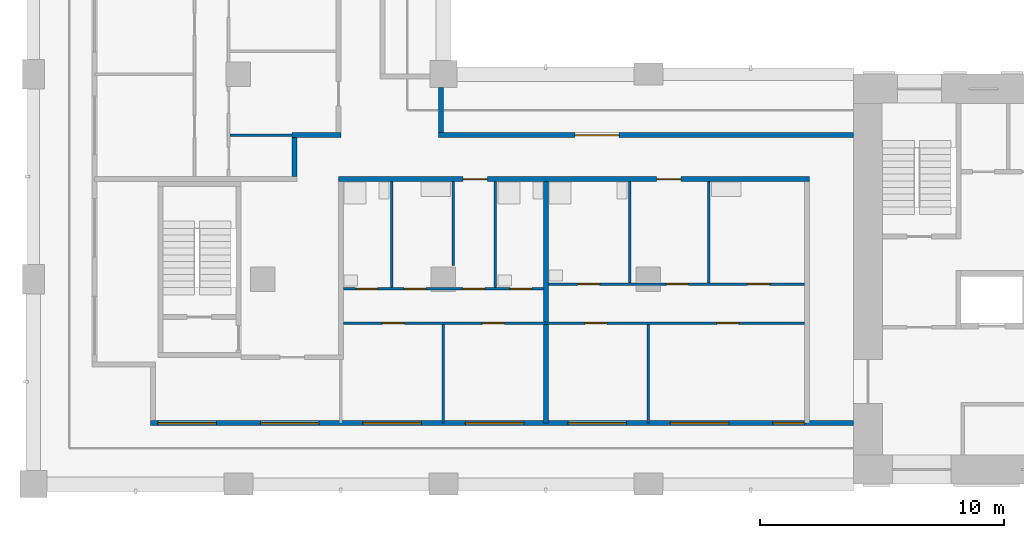
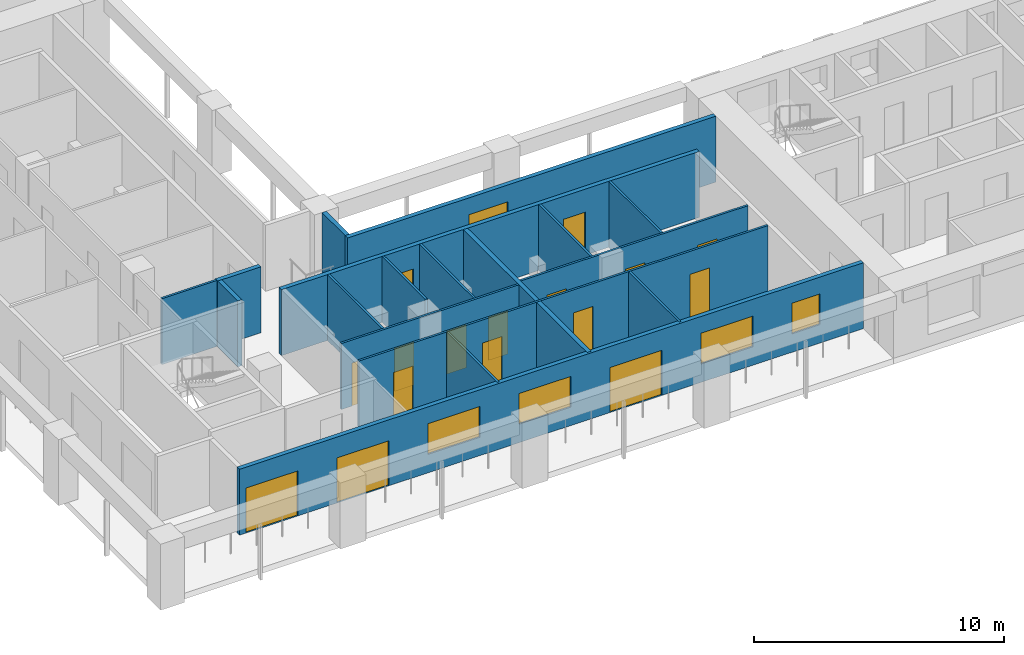
# One storey, part 2 of 10: 18 walls, 17 doors, 4 windows, 21 openings.
"""IFC4 building model written with IfcOpenShell, lengths in metres."""

from ifc_helpers import new_model, si_unit, direction, frame, frame_2d, origin, place, context, subcontext, project, spatial, rectangle, extrude, material, layer, layer_set, type_object, element, fill, save


model = new_model("IFC4")

# Units and contexts
model_context = context("Model", 3, precision=1e-05, world=origin(), true_north=direction((0.0, 1.0)))
body_context = subcontext(model_context, "Body", "Model", "MODEL_VIEW")
ifc_project = project(units=[si_unit("LENGTHUNIT", "METRE"), si_unit("AREAUNIT", "SQUARE_METRE"), si_unit("VOLUMEUNIT", "CUBIC_METRE"), si_unit("PLANEANGLEUNIT", "RADIAN"), si_unit("MASSUNIT", "GRAM", prefix="KILO")], contexts=[model_context])

# Site, building, storey
site_placement = place(None, origin())
site = spatial("IfcSite", under=ifc_project, at=site_placement, CompositionType="ELEMENT")
building_placement = place(site_placement, origin())
building = spatial("IfcBuilding", under=site, at=building_placement, Name="Vermilion Gate Residences", CompositionType="ELEMENT")
storey_placement = place(building_placement, frame((0.0, 0.0, 175.699951171875)))
storey = spatial("IfcBuildingStorey", under=building, at=storey_placement, Name="L45", CompositionType="ELEMENT", Elevation=175.699951171875)

# Wall, openings, doors, windows
ifc_material_1 = material(Name="Insulated steel stud wall with terracotta rainscreen", Category="masonry")
ifc_layer_1 = layer(ifc_material_1, 0.199951171875)
ifc_layer_set_1 = layer_set([ifc_layer_1], Name="EXTERNAL WALL 200 TERRACOTTA RAINSCREEN")
wall_type_1 = type_object("IfcWallType", Name="EXTERNAL WALL 200 TERRACOTTA RAINSCREEN", PredefinedType="SOLIDWALL", material=ifc_layer_set_1)
wall_1_placement = place(storey_placement, frame((13.199951171875, 10.89990234375, 0.0), z_axis=(0.0, 0.0, 1.0), x_axis=(1.0, 0.0, 0.0)))
wall_1 = element("IfcWall", 1, at=wall_1_placement, inside=storey, type_object=wall_type_1, Name="External wall", PredefinedType="SOLIDWALL", context=body_context, shape_type="SweptSolid", body=[
    extrude(rectangle(XDim=28.800048828125, YDim=0.199951171875, at=frame_2d((14.39990234375, 0.0))), origin(), (0.0, 0.0, 1.0), 3.219970703125),
])
opening_1_placement = place(wall_1_placement, frame((0.300048828125, 0.0, 0.0)))
opening_1 = element("IfcOpeningElement", 2, at=opening_1_placement, cuts=wall_1, Name="Opening DE45008", PredefinedType="OPENING", context=body_context, shape_type="SweptSolid", body=[
    extrude(rectangle(XDim=2.39990234375, YDim=2.199951171875, at=frame_2d((1.199951171875, 1.10009765625))), frame((0.0, 0.10986328125, 0.0), z_axis=(0.0, -1.0, 0.0), x_axis=(1.0, 0.0, 0.0)), (0.0, 0.0, 1.0), 0.219970703125),
])
opening_2_placement = place(wall_1_placement, frame((4.5, 0.0, 0.0)))
opening_2 = element("IfcOpeningElement", 3, at=opening_2_placement, cuts=wall_1, Name="Opening DE45009", PredefinedType="OPENING", context=body_context, shape_type="SweptSolid", body=[
    extrude(rectangle(XDim=2.39990234375, YDim=2.199951171875, at=frame_2d((1.199951171875, 1.10009765625))), frame((0.0, 0.10986328125, 0.0), z_axis=(0.0, -1.0, 0.0), x_axis=(1.0, 0.0, 0.0)), (0.0, 0.0, 1.0), 0.219970703125),
])
opening_3_placement = place(wall_1_placement, frame((8.699951171875, 0.0, 0.89990234375)))
opening_3 = element("IfcOpeningElement", 4, at=opening_3_placement, cuts=wall_1, Name="Opening WE45010", PredefinedType="OPENING", context=body_context, shape_type="SweptSolid", body=[
    extrude(rectangle(XDim=2.39990234375, YDim=1.5, at=frame_2d((1.199951171875, 0.75))), frame((0.0, 0.10986328125, 0.0), z_axis=(0.0, -1.0, 0.0), x_axis=(1.0, 0.0, 0.0)), (0.0, 0.0, 1.0), 0.219970703125),
])
opening_4_placement = place(wall_1_placement, frame((12.89990234375, 0.0, 0.89990234375)))
opening_4 = element("IfcOpeningElement", 5, at=opening_4_placement, cuts=wall_1, Name="Opening WE45011", PredefinedType="OPENING", context=body_context, shape_type="SweptSolid", body=[
    extrude(rectangle(XDim=2.39990234375, YDim=1.5, at=frame_2d((1.199951171875, 0.75))), frame((0.0, 0.10986328125, 0.0), z_axis=(0.0, -1.0, 0.0), x_axis=(1.0, 0.0, 0.0)), (0.0, 0.0, 1.0), 0.219970703125),
])
opening_5_placement = place(wall_1_placement, frame((17.10009765625, 0.0, 0.0)))
opening_5 = element("IfcOpeningElement", 6, at=opening_5_placement, cuts=wall_1, Name="Opening DE45012", PredefinedType="OPENING", context=body_context, shape_type="SweptSolid", body=[
    extrude(rectangle(XDim=2.39990234375, YDim=2.199951171875, at=frame_2d((1.199951171875, 1.10009765625))), frame((0.0, 0.10986328125, 0.0), z_axis=(0.0, -1.0, 0.0), x_axis=(1.0, 0.0, 0.0)), (0.0, 0.0, 1.0), 0.219970703125),
])
opening_6_placement = place(wall_1_placement, frame((21.300048828125, 0.0, 0.89990234375)))
opening_6 = element("IfcOpeningElement", 7, at=opening_6_placement, cuts=wall_1, Name="Opening WE45013", PredefinedType="OPENING", context=body_context, shape_type="SweptSolid", body=[
    extrude(rectangle(XDim=2.39990234375, YDim=1.5, at=frame_2d((1.199951171875, 0.75))), frame((0.0, 0.10986328125, 0.0), z_axis=(0.0, -1.0, 0.0), x_axis=(1.0, 0.0, 0.0)), (0.0, 0.0, 1.0), 0.219970703125),
])
opening_7_placement = place(wall_1_placement, frame((25.5, 0.0, 0.89990234375)))
opening_7 = element("IfcOpeningElement", 8, at=opening_7_placement, cuts=wall_1, Name="Opening WE45014", PredefinedType="OPENING", context=body_context, shape_type="SweptSolid", body=[
    extrude(rectangle(XDim=1.300048828125, YDim=1.5, at=frame_2d((0.64990234375, 0.75))), frame((0.0, 0.10986328125, 0.0), z_axis=(0.0, -1.0, 0.0), x_axis=(1.0, 0.0, 0.0)), (0.0, 0.0, 1.0), 0.219970703125),
])
ifc_material_2 = material(Name="Aluminium and clear glass", Category="aluminium")
door_type_1 = type_object("IfcDoorType", Name="SLIDING GLAZED DOOR 2400 X 2200", OperationType="DOUBLE_DOOR_SLIDING", PredefinedType="DOOR", material=ifc_material_2)
door_1_placement = place(opening_1_placement, origin())
door_1 = element("IfcDoor", 9, at=door_1_placement, inside=storey, type_object=door_type_1, Name="Loggia sliding door", OperationType="DOUBLE_DOOR_SLIDING", OverallHeight=2.199951171875, OverallWidth=2.39990234375, PredefinedType="DOOR", context=body_context, shape_type="SweptSolid", body=[
    extrude(rectangle(XDim=2.39990234375, YDim=2.199951171875, at=frame_2d((1.199951171875, 1.10009765625))), frame((0.0, 0.02490234375, 0.0), z_axis=(0.0, -1.0, 0.0), x_axis=(1.0, 0.0, 0.0)), (0.0, 0.0, 1.0), 0.050048828125),
])
fill(opening_1, door_1)
door_2_placement = place(opening_2_placement, origin())
door_2 = element("IfcDoor", 10, at=door_2_placement, inside=storey, type_object=door_type_1, Name="Loggia sliding door", OperationType="DOUBLE_DOOR_SLIDING", OverallHeight=2.199951171875, OverallWidth=2.39990234375, PredefinedType="DOOR", context=body_context, shape_type="SweptSolid", body=[
    extrude(rectangle(XDim=2.39990234375, YDim=2.199951171875, at=frame_2d((1.199951171875, 1.10009765625))), frame((0.0, 0.02490234375, 0.0), z_axis=(0.0, -1.0, 0.0), x_axis=(1.0, 0.0, 0.0)), (0.0, 0.0, 1.0), 0.050048828125),
])
fill(opening_2, door_2)
door_3_placement = place(opening_5_placement, origin())
door_3 = element("IfcDoor", 11, at=door_3_placement, inside=storey, type_object=door_type_1, Name="Loggia sliding door", OperationType="DOUBLE_DOOR_SLIDING", OverallHeight=2.199951171875, OverallWidth=2.39990234375, PredefinedType="DOOR", context=body_context, shape_type="SweptSolid", body=[
    extrude(rectangle(XDim=2.39990234375, YDim=2.199951171875, at=frame_2d((1.199951171875, 1.10009765625))), frame((0.0, 0.02490234375, 0.0), z_axis=(0.0, -1.0, 0.0), x_axis=(1.0, 0.0, 0.0)), (0.0, 0.0, 1.0), 0.050048828125),
])
fill(opening_5, door_3)
ifc_material_3 = material(Name="Aluminium and clear glass", Category="aluminium")
window_type_1 = type_object("IfcWindowType", Name="WINDOW 1300 X 1500", PartitioningType="SINGLE_PANEL", PredefinedType="WINDOW", material=ifc_material_3)
window_1_placement = place(opening_7_placement, origin())
window_1 = element("IfcWindow", 12, at=window_1_placement, inside=storey, type_object=window_type_1, Name="Window", OverallHeight=1.5, OverallWidth=1.300048828125, PartitioningType="SINGLE_PANEL", PredefinedType="WINDOW", context=body_context, shape_type="SweptSolid", body=[
    extrude(rectangle(XDim=1.300048828125, YDim=1.5, at=frame_2d((0.64990234375, 0.75))), frame((0.0, 0.030029296875, 0.0), z_axis=(0.0, -1.0, 0.0), x_axis=(1.0, 0.0, 0.0)), (0.0, 0.0, 1.0), 0.06005859375),
])
fill(opening_7, window_1)
ifc_material_4 = material(Name="Aluminium and clear glass", Category="aluminium")
window_type_2 = type_object("IfcWindowType", Name="WINDOW 2400 X 1500", PartitioningType="SINGLE_PANEL", PredefinedType="WINDOW", material=ifc_material_4)
window_2_placement = place(opening_3_placement, origin())
window_2 = element("IfcWindow", 13, at=window_2_placement, inside=storey, type_object=window_type_2, Name="Window", OverallHeight=1.5, OverallWidth=2.39990234375, PartitioningType="SINGLE_PANEL", PredefinedType="WINDOW", context=body_context, shape_type="SweptSolid", body=[
    extrude(rectangle(XDim=2.39990234375, YDim=1.5, at=frame_2d((1.199951171875, 0.75))), frame((0.0, 0.030029296875, 0.0), z_axis=(0.0, -1.0, 0.0), x_axis=(1.0, 0.0, 0.0)), (0.0, 0.0, 1.0), 0.06005859375),
])
fill(opening_3, window_2)
window_3_placement = place(opening_4_placement, origin())
window_3 = element("IfcWindow", 14, at=window_3_placement, inside=storey, type_object=window_type_2, Name="Window", OverallHeight=1.5, OverallWidth=2.39990234375, PartitioningType="SINGLE_PANEL", PredefinedType="WINDOW", context=body_context, shape_type="SweptSolid", body=[
    extrude(rectangle(XDim=2.39990234375, YDim=1.5, at=frame_2d((1.199951171875, 0.75))), frame((0.0, 0.030029296875, 0.0), z_axis=(0.0, -1.0, 0.0), x_axis=(1.0, 0.0, 0.0)), (0.0, 0.0, 1.0), 0.06005859375),
])
fill(opening_4, window_3)
window_4_placement = place(opening_6_placement, origin())
window_4 = element("IfcWindow", 15, at=window_4_placement, inside=storey, type_object=window_type_2, Name="Window", OverallHeight=1.5, OverallWidth=2.39990234375, PartitioningType="SINGLE_PANEL", PredefinedType="WINDOW", context=body_context, shape_type="SweptSolid", body=[
    extrude(rectangle(XDim=2.39990234375, YDim=1.5, at=frame_2d((1.199951171875, 0.75))), frame((0.0, 0.030029296875, 0.0), z_axis=(0.0, -1.0, 0.0), x_axis=(1.0, 0.0, 0.0)), (0.0, 0.0, 1.0), 0.06005859375),
])
fill(opening_6, window_4)

# Wall, opening, door
wall_2_placement = place(storey_placement, frame((42.0, 22.699951171875, 0.0), z_axis=(0.0, 0.0, 1.0), x_axis=(-1.0, 0.0, 0.0)))
wall_2 = element("IfcWall", 16, at=wall_2_placement, inside=storey, type_object=wall_type_1, Name="External wall", PredefinedType="SOLIDWALL", context=body_context, shape_type="SweptSolid", body=[
    extrude(rectangle(XDim=17.0, YDim=0.199951171875, at=frame_2d((8.5, 0.0))), origin(), (0.0, 0.0, 1.0), 3.219970703125),
])
opening_8_placement = place(wall_2_placement, frame((9.60009765625, 0.0, 0.0)))
opening_8 = element("IfcOpeningElement", 17, at=opening_8_placement, cuts=wall_2, Name="Opening DE45020", PredefinedType="OPENING", context=body_context, shape_type="SweptSolid", body=[
    extrude(rectangle(XDim=1.800048828125, YDim=2.39990234375, at=frame_2d((0.89990234375, 1.199951171875))), frame((0.0, 0.10986328125, 0.0), z_axis=(0.0, -1.0, 0.0), x_axis=(1.0, 0.0, 0.0)), (0.0, 0.0, 1.0), 0.219970703125),
])
ifc_material_5 = material(Name="Aluminium and clear glass", Category="aluminium")
door_type_2 = type_object("IfcDoorType", Name="GLAZED EXTERNAL DOOR 1800 X 2400", OperationType="DOUBLE_DOOR_SINGLE_SWING", PredefinedType="DOOR", material=ifc_material_5)
door_4_placement = place(opening_8_placement, frame((1.800048828125, 0.0, 0.0), z_axis=(0.0, 0.0, 1.0), x_axis=(-1.0, 0.0, 0.0)))
door_4 = element("IfcDoor", 18, at=door_4_placement, inside=storey, type_object=door_type_2, Name="Gallery door", OperationType="DOUBLE_DOOR_SINGLE_SWING", OverallHeight=2.39990234375, OverallWidth=1.800048828125, PredefinedType="DOOR", context=body_context, shape_type="SweptSolid", body=[
    extrude(rectangle(XDim=1.800048828125, YDim=2.39990234375, at=frame_2d((0.89990234375, 1.199951171875))), frame((0.0, 0.02490234375, 0.0), z_axis=(0.0, -1.0, 0.0), x_axis=(1.0, 0.0, 0.0)), (0.0, 0.0, 1.0), 0.050048828125),
])
fill(opening_8, door_4)

# Wall
wall_3_placement = place(storey_placement, frame((25.10009765625, 22.800048828125, 0.0), z_axis=(0.0, 0.0, 1.0), x_axis=(0.0, 1.0, 0.0)))
element("IfcWall", 19, at=wall_3_placement, inside=storey, type_object=wall_type_1, Name="External wall", PredefinedType="SOLIDWALL", context=body_context, shape_type="SweptSolid", body=[
    extrude(rectangle(XDim=1.849853515625, YDim=0.199951171875, at=frame_2d((0.9248046875, 0.0))), origin(), (0.0, 0.0, 1.0), 3.219970703125),
])

# Wall, openings, doors
ifc_material_6 = material(Name="Plasterboard on steel studs", Category="steel")
ifc_layer_2 = layer(ifc_material_6, 0.10009765625)
ifc_layer_set_2 = layer_set([ifc_layer_2], Name="PARTITION 100")
wall_type_2 = type_object("IfcWallType", Name="PARTITION 100", PredefinedType="PARTITIONING", material=ifc_layer_set_2)
wall_4_placement = place(storey_placement, frame((21.10009765625, 15.0, 0.0), z_axis=(0.0, 0.0, 1.0), x_axis=(1.0, 0.0, 0.0)))
wall_4 = element("IfcWall", 20, at=wall_4_placement, inside=storey, type_object=wall_type_2, Name="Partition", PredefinedType="PARTITIONING", context=body_context, shape_type="SweptSolid", body=[
    extrude(rectangle(XDim=18.89990234375, YDim=0.10009765625, at=frame_2d((9.449951171875, 0.0))), origin(), (0.0, 0.0, 1.0), 3.219970703125),
])
opening_9_placement = place(wall_4_placement, frame((1.60009765625, 0.0, 0.0)))
opening_9 = element("IfcOpeningElement", 21, at=opening_9_placement, cuts=wall_4, Name="Opening DA43002", PredefinedType="OPENING", context=body_context, shape_type="SweptSolid", body=[
    extrude(rectangle(XDim=0.89990234375, YDim=2.10009765625, at=frame_2d((0.449951171875, 1.050048828125))), frame((0.0, 0.06005859375, 0.0), z_axis=(0.0, -1.0, 0.0), x_axis=(1.0, 0.0, 0.0)), (0.0, 0.0, 1.0), 0.1201171875),
])
opening_10_placement = place(wall_4_placement, frame((5.699951171875, 0.0, 0.0)))
opening_10 = element("IfcOpeningElement", 22, at=opening_10_placement, cuts=wall_4, Name="Opening DA43003", PredefinedType="OPENING", context=body_context, shape_type="SweptSolid", body=[
    extrude(rectangle(XDim=0.89990234375, YDim=2.10009765625, at=frame_2d((0.449951171875, 1.050048828125))), frame((0.0, 0.06005859375, 0.0), z_axis=(0.0, -1.0, 0.0), x_axis=(1.0, 0.0, 0.0)), (0.0, 0.0, 1.0), 0.1201171875),
])
opening_11_placement = place(wall_4_placement, frame((9.89990234375, 0.0, 0.0)))
opening_11 = element("IfcOpeningElement", 23, at=opening_11_placement, cuts=wall_4, Name="Opening DA43004", PredefinedType="OPENING", context=body_context, shape_type="SweptSolid", body=[
    extrude(rectangle(XDim=0.89990234375, YDim=2.10009765625, at=frame_2d((0.449951171875, 1.050048828125))), frame((0.0, 0.06005859375, 0.0), z_axis=(0.0, -1.0, 0.0), x_axis=(1.0, 0.0, 0.0)), (0.0, 0.0, 1.0), 0.1201171875),
])
opening_12_placement = place(wall_4_placement, frame((15.300048828125, 0.0, 0.0)))
opening_12 = element("IfcOpeningElement", 24, at=opening_12_placement, cuts=wall_4, Name="Opening DA43005", PredefinedType="OPENING", context=body_context, shape_type="SweptSolid", body=[
    extrude(rectangle(XDim=0.89990234375, YDim=2.10009765625, at=frame_2d((0.449951171875, 1.050048828125))), frame((0.0, 0.06005859375, 0.0), z_axis=(0.0, -1.0, 0.0), x_axis=(1.0, 0.0, 0.0)), (0.0, 0.0, 1.0), 0.1201171875),
])
ifc_material_7 = material(Name="Timber", Category="wood")
door_type_3 = type_object("IfcDoorType", Name="INTERIOR DOOR 900 X 2100", OperationType="SINGLE_SWING_LEFT", PredefinedType="DOOR", material=ifc_material_7)
door_5_placement = place(opening_9_placement, frame((0.89990234375, 0.0, 0.0), z_axis=(0.0, 0.0, 1.0), x_axis=(-1.0, 0.0, 0.0)))
door_5 = element("IfcDoor", 25, at=door_5_placement, inside=storey, type_object=door_type_3, Name="Interior door", OperationType="SINGLE_SWING_LEFT", OverallHeight=2.10009765625, OverallWidth=0.89990234375, PredefinedType="DOOR", context=body_context, shape_type="SweptSolid", body=[
    extrude(rectangle(XDim=0.89990234375, YDim=2.10009765625, at=frame_2d((0.449951171875, 1.050048828125))), frame((0.0, 0.02490234375, 0.0), z_axis=(0.0, -1.0, 0.0), x_axis=(1.0, 0.0, 0.0)), (0.0, 0.0, 1.0), 0.050048828125),
])
fill(opening_9, door_5)
door_6_placement = place(opening_10_placement, frame((0.89990234375, 0.0, 0.0), z_axis=(0.0, 0.0, 1.0), x_axis=(-1.0, 0.0, 0.0)))
door_6 = element("IfcDoor", 26, at=door_6_placement, inside=storey, type_object=door_type_3, Name="Interior door", OperationType="SINGLE_SWING_RIGHT", OverallHeight=2.10009765625, OverallWidth=0.89990234375, PredefinedType="DOOR", context=body_context, shape_type="SweptSolid", body=[
    extrude(rectangle(XDim=0.89990234375, YDim=2.10009765625, at=frame_2d((0.449951171875, 1.050048828125))), frame((0.0, 0.02490234375, 0.0), z_axis=(0.0, -1.0, 0.0), x_axis=(1.0, 0.0, 0.0)), (0.0, 0.0, 1.0), 0.050048828125),
])
fill(opening_10, door_6)
door_7_placement = place(opening_11_placement, frame((0.89990234375, 0.0, 0.0), z_axis=(0.0, 0.0, 1.0), x_axis=(-1.0, 0.0, 0.0)))
door_7 = element("IfcDoor", 27, at=door_7_placement, inside=storey, type_object=door_type_3, Name="Interior door", OperationType="SINGLE_SWING_RIGHT", OverallHeight=2.10009765625, OverallWidth=0.89990234375, PredefinedType="DOOR", context=body_context, shape_type="SweptSolid", body=[
    extrude(rectangle(XDim=0.89990234375, YDim=2.10009765625, at=frame_2d((0.449951171875, 1.050048828125))), frame((0.0, 0.02490234375, 0.0), z_axis=(0.0, -1.0, 0.0), x_axis=(1.0, 0.0, 0.0)), (0.0, 0.0, 1.0), 0.050048828125),
])
fill(opening_11, door_7)
door_8_placement = place(opening_12_placement, frame((0.89990234375, 0.0, 0.0), z_axis=(0.0, 0.0, 1.0), x_axis=(-1.0, 0.0, 0.0)))
door_8 = element("IfcDoor", 28, at=door_8_placement, inside=storey, type_object=door_type_3, Name="Interior door", OperationType="SINGLE_SWING_LEFT", OverallHeight=2.10009765625, OverallWidth=0.89990234375, PredefinedType="DOOR", context=body_context, shape_type="SweptSolid", body=[
    extrude(rectangle(XDim=0.89990234375, YDim=2.10009765625, at=frame_2d((0.449951171875, 1.050048828125))), frame((0.0, 0.02490234375, 0.0), z_axis=(0.0, -1.0, 0.0), x_axis=(1.0, 0.0, 0.0)), (0.0, 0.0, 1.0), 0.050048828125),
])
fill(opening_12, door_8)

wall_5_placement = place(storey_placement, frame((21.10009765625, 16.39990234375, 0.0), z_axis=(0.0, 0.0, 1.0), x_axis=(1.0, 0.0, 0.0)))
wall_5 = element("IfcWall", 29, at=wall_5_placement, inside=storey, type_object=wall_type_2, Name="Partition", PredefinedType="PARTITIONING", context=body_context, shape_type="SweptSolid", body=[
    extrude(rectangle(XDim=8.199951171875, YDim=0.10009765625, at=frame_2d((4.10009765625, 0.0))), origin(), (0.0, 0.0, 1.0), 3.219970703125),
])
opening_13_placement = place(wall_5_placement, frame((4.89990234375, 0.0, 0.0)))
opening_13 = element("IfcOpeningElement", 30, at=opening_13_placement, cuts=wall_5, Name="Opening DA43006", PredefinedType="OPENING", context=body_context, shape_type="SweptSolid", body=[
    extrude(rectangle(XDim=0.89990234375, YDim=2.10009765625, at=frame_2d((0.449951171875, 1.050048828125))), frame((0.0, 0.06005859375, 0.0), z_axis=(0.0, -1.0, 0.0), x_axis=(1.0, 0.0, 0.0)), (0.0, 0.0, 1.0), 0.1201171875),
])
opening_14_placement = place(wall_5_placement, frame((0.5, 0.0, 0.0)))
opening_14 = element("IfcOpeningElement", 31, at=opening_14_placement, cuts=wall_5, Name="Opening DA43007", PredefinedType="OPENING", context=body_context, shape_type="SweptSolid", body=[
    extrude(rectangle(XDim=0.89990234375, YDim=2.10009765625, at=frame_2d((0.449951171875, 1.050048828125))), frame((0.0, 0.06005859375, 0.0), z_axis=(0.0, -1.0, 0.0), x_axis=(1.0, 0.0, 0.0)), (0.0, 0.0, 1.0), 0.1201171875),
])
opening_15_placement = place(wall_5_placement, frame((2.47998046875, 0.0, 0.0)))
opening_15 = element("IfcOpeningElement", 32, at=opening_15_placement, cuts=wall_5, Name="Opening DA43008", PredefinedType="OPENING", context=body_context, shape_type="SweptSolid", body=[
    extrude(rectangle(XDim=0.89990234375, YDim=2.10009765625, at=frame_2d((0.449951171875, 1.050048828125))), frame((0.0, 0.06005859375, 0.0), z_axis=(0.0, -1.0, 0.0), x_axis=(1.0, 0.0, 0.0)), (0.0, 0.0, 1.0), 0.1201171875),
])
opening_16_placement = place(wall_5_placement, frame((6.820068359375, 0.0, 0.0)))
opening_16 = element("IfcOpeningElement", 33, at=opening_16_placement, cuts=wall_5, Name="Opening DA43009", PredefinedType="OPENING", context=body_context, shape_type="SweptSolid", body=[
    extrude(rectangle(XDim=0.89990234375, YDim=2.10009765625, at=frame_2d((0.449951171875, 1.050048828125))), frame((0.0, 0.06005859375, 0.0), z_axis=(0.0, -1.0, 0.0), x_axis=(1.0, 0.0, 0.0)), (0.0, 0.0, 1.0), 0.1201171875),
])
door_9_placement = place(opening_13_placement, origin())
door_9 = element("IfcDoor", 34, at=door_9_placement, inside=storey, type_object=door_type_3, Name="Interior door", OperationType="SINGLE_SWING_LEFT", OverallHeight=2.10009765625, OverallWidth=0.89990234375, PredefinedType="DOOR", context=body_context, shape_type="SweptSolid", body=[
    extrude(rectangle(XDim=0.89990234375, YDim=2.10009765625, at=frame_2d((0.449951171875, 1.050048828125))), frame((0.0, 0.02490234375, 0.0), z_axis=(0.0, -1.0, 0.0), x_axis=(1.0, 0.0, 0.0)), (0.0, 0.0, 1.0), 0.050048828125),
])
fill(opening_13, door_9)
door_10_placement = place(opening_14_placement, origin())
door_10 = element("IfcDoor", 35, at=door_10_placement, inside=storey, type_object=door_type_3, Name="Interior door", OperationType="SINGLE_SWING_RIGHT", OverallHeight=2.10009765625, OverallWidth=0.89990234375, PredefinedType="DOOR", context=body_context, shape_type="SweptSolid", body=[
    extrude(rectangle(XDim=0.89990234375, YDim=2.10009765625, at=frame_2d((0.449951171875, 1.050048828125))), frame((0.0, 0.02490234375, 0.0), z_axis=(0.0, -1.0, 0.0), x_axis=(1.0, 0.0, 0.0)), (0.0, 0.0, 1.0), 0.050048828125),
])
fill(opening_14, door_10)
door_11_placement = place(opening_15_placement, origin())
door_11 = element("IfcDoor", 36, at=door_11_placement, inside=storey, type_object=door_type_3, Name="Interior door", OperationType="SINGLE_SWING_RIGHT", OverallHeight=2.10009765625, OverallWidth=0.89990234375, PredefinedType="DOOR", context=body_context, shape_type="SweptSolid", body=[
    extrude(rectangle(XDim=0.89990234375, YDim=2.10009765625, at=frame_2d((0.449951171875, 1.050048828125))), frame((0.0, 0.02490234375, 0.0), z_axis=(0.0, -1.0, 0.0), x_axis=(1.0, 0.0, 0.0)), (0.0, 0.0, 1.0), 0.050048828125),
])
fill(opening_15, door_11)
door_12_placement = place(opening_16_placement, origin())
door_12 = element("IfcDoor", 37, at=door_12_placement, inside=storey, type_object=door_type_3, Name="Interior door", OperationType="SINGLE_SWING_RIGHT", OverallHeight=2.10009765625, OverallWidth=0.89990234375, PredefinedType="DOOR", context=body_context, shape_type="SweptSolid", body=[
    extrude(rectangle(XDim=0.89990234375, YDim=2.10009765625, at=frame_2d((0.449951171875, 1.050048828125))), frame((0.0, 0.02490234375, 0.0), z_axis=(0.0, -1.0, 0.0), x_axis=(1.0, 0.0, 0.0)), (0.0, 0.0, 1.0), 0.050048828125),
])
fill(opening_16, door_12)

wall_6_placement = place(storey_placement, frame((29.5, 16.60009765625, 0.0), z_axis=(0.0, 0.0, 1.0), x_axis=(1.0, 0.0, 0.0)))
wall_6 = element("IfcWall", 38, at=wall_6_placement, inside=storey, type_object=wall_type_2, Name="Partition", PredefinedType="PARTITIONING", context=body_context, shape_type="SweptSolid", body=[
    extrude(rectangle(XDim=10.5, YDim=0.10009765625, at=frame_2d((5.25, 0.0))), origin(), (0.0, 0.0, 1.0), 3.219970703125),
])
opening_17_placement = place(wall_6_placement, frame((4.8330078125, 0.0, 0.0)))
opening_17 = element("IfcOpeningElement", 39, at=opening_17_placement, cuts=wall_6, Name="Opening DA43010", PredefinedType="OPENING", context=body_context, shape_type="SweptSolid", body=[
    extrude(rectangle(XDim=0.89990234375, YDim=2.10009765625, at=frame_2d((0.449951171875, 1.050048828125))), frame((0.0, 0.06005859375, 0.0), z_axis=(0.0, -1.0, 0.0), x_axis=(1.0, 0.0, 0.0)), (0.0, 0.0, 1.0), 0.1201171875),
])
opening_18_placement = place(wall_6_placement, frame((1.199951171875, 0.0, 0.0)))
opening_18 = element("IfcOpeningElement", 40, at=opening_18_placement, cuts=wall_6, Name="Opening DA43011", PredefinedType="OPENING", context=body_context, shape_type="SweptSolid", body=[
    extrude(rectangle(XDim=0.89990234375, YDim=2.10009765625, at=frame_2d((0.449951171875, 1.050048828125))), frame((0.0, 0.06005859375, 0.0), z_axis=(0.0, -1.0, 0.0), x_axis=(1.0, 0.0, 0.0)), (0.0, 0.0, 1.0), 0.1201171875),
])
opening_19_placement = place(wall_6_placement, frame((8.1669921875, 0.0, 0.0)))
opening_19 = element("IfcOpeningElement", 41, at=opening_19_placement, cuts=wall_6, Name="Opening DA43012", PredefinedType="OPENING", context=body_context, shape_type="SweptSolid", body=[
    extrude(rectangle(XDim=0.89990234375, YDim=2.10009765625, at=frame_2d((0.449951171875, 1.050048828125))), frame((0.0, 0.06005859375, 0.0), z_axis=(0.0, -1.0, 0.0), x_axis=(1.0, 0.0, 0.0)), (0.0, 0.0, 1.0), 0.1201171875),
])
door_13_placement = place(opening_17_placement, origin())
door_13 = element("IfcDoor", 42, at=door_13_placement, inside=storey, type_object=door_type_3, Name="Interior door", OperationType="SINGLE_SWING_LEFT", OverallHeight=2.10009765625, OverallWidth=0.89990234375, PredefinedType="DOOR", context=body_context, shape_type="SweptSolid", body=[
    extrude(rectangle(XDim=0.89990234375, YDim=2.10009765625, at=frame_2d((0.449951171875, 1.050048828125))), frame((0.0, 0.02490234375, 0.0), z_axis=(0.0, -1.0, 0.0), x_axis=(1.0, 0.0, 0.0)), (0.0, 0.0, 1.0), 0.050048828125),
])
fill(opening_17, door_13)
door_14_placement = place(opening_18_placement, origin())
door_14 = element("IfcDoor", 43, at=door_14_placement, inside=storey, type_object=door_type_3, Name="Interior door", OperationType="SINGLE_SWING_LEFT", OverallHeight=2.10009765625, OverallWidth=0.89990234375, PredefinedType="DOOR", context=body_context, shape_type="SweptSolid", body=[
    extrude(rectangle(XDim=0.89990234375, YDim=2.10009765625, at=frame_2d((0.449951171875, 1.050048828125))), frame((0.0, 0.02490234375, 0.0), z_axis=(0.0, -1.0, 0.0), x_axis=(1.0, 0.0, 0.0)), (0.0, 0.0, 1.0), 0.050048828125),
])
fill(opening_18, door_14)
door_15_placement = place(opening_19_placement, origin())
door_15 = element("IfcDoor", 44, at=door_15_placement, inside=storey, type_object=door_type_3, Name="Interior door", OperationType="SINGLE_SWING_RIGHT", OverallHeight=2.10009765625, OverallWidth=0.89990234375, PredefinedType="DOOR", context=body_context, shape_type="SweptSolid", body=[
    extrude(rectangle(XDim=0.89990234375, YDim=2.10009765625, at=frame_2d((0.449951171875, 1.050048828125))), frame((0.0, 0.02490234375, 0.0), z_axis=(0.0, -1.0, 0.0), x_axis=(1.0, 0.0, 0.0)), (0.0, 0.0, 1.0), 0.050048828125),
])
fill(opening_19, door_15)

# Walls
wall_7_placement = place(storey_placement, frame((16.449951171875, 22.699951171875, 0.0), z_axis=(0.0, 0.0, 1.0), x_axis=(1.0, 0.0, 0.0)))
element("IfcWall", 45, at=wall_7_placement, inside=storey, type_object=wall_type_2, Name="Partition", PredefinedType="PARTITIONING", context=body_context, shape_type="SweptSolid", body=[
    extrude(rectangle(XDim=2.550048828125, YDim=0.10009765625, at=frame_2d((1.27490234375, 0.0))), origin(), (0.0, 0.0, 1.0), 3.219970703125),
])
wall_8_placement = place(storey_placement, frame((23.080078125, 16.449951171875, 0.0), z_axis=(0.0, 0.0, 1.0), x_axis=(0.0, 1.0, 0.0)))
element("IfcWall", 46, at=wall_8_placement, inside=storey, type_object=wall_type_2, Name="Partition", PredefinedType="PARTITIONING", context=body_context, shape_type="SweptSolid", body=[
    extrude(rectangle(XDim=4.35009765625, YDim=0.10009765625, at=frame_2d((2.175048828125, 0.0))), origin(), (0.0, 0.0, 1.0), 3.219970703125),
])
wall_9_placement = place(storey_placement, frame((25.199951171875, 10.89990234375, 0.0), z_axis=(0.0, 0.0, 1.0), x_axis=(0.0, 1.0, 0.0)))
element("IfcWall", 47, at=wall_9_placement, inside=storey, type_object=wall_type_2, Name="Partition", PredefinedType="PARTITIONING", context=body_context, shape_type="SweptSolid", body=[
    extrude(rectangle(XDim=4.050048828125, YDim=0.10009765625, at=frame_2d((2.02490234375, 0.0))), origin(), (0.0, 0.0, 1.0), 3.219970703125),
])
wall_10_placement = place(storey_placement, frame((25.60009765625, 17.35009765625, 0.0), z_axis=(0.0, 0.0, 1.0), x_axis=(0.0, 1.0, 0.0)))
element("IfcWall", 48, at=wall_10_placement, inside=storey, type_object=wall_type_2, Name="Partition", PredefinedType="PARTITIONING", context=body_context, shape_type="SweptSolid", body=[
    extrude(rectangle(XDim=3.449951171875, YDim=0.10009765625, at=frame_2d((1.72509765625, 0.0))), origin(), (0.0, 0.0, 1.0), 3.219970703125),
])
wall_11_placement = place(storey_placement, frame((27.320068359375, 16.449951171875, 0.0), z_axis=(0.0, 0.0, 1.0), x_axis=(0.0, 1.0, 0.0)))
element("IfcWall", 49, at=wall_11_placement, inside=storey, type_object=wall_type_2, Name="Partition", PredefinedType="PARTITIONING", context=body_context, shape_type="SweptSolid", body=[
    extrude(rectangle(XDim=4.35009765625, YDim=0.10009765625, at=frame_2d((2.175048828125, 0.0))), origin(), (0.0, 0.0, 1.0), 3.219970703125),
])
wall_12_placement = place(storey_placement, frame((32.8330078125, 16.64990234375, 0.0), z_axis=(0.0, 0.0, 1.0), x_axis=(0.0, 1.0, 0.0)))
element("IfcWall", 50, at=wall_12_placement, inside=storey, type_object=wall_type_2, Name="Partition", PredefinedType="PARTITIONING", context=body_context, shape_type="SweptSolid", body=[
    extrude(rectangle(XDim=4.150146484375, YDim=0.10009765625, at=frame_2d((2.0751953125, 0.0))), origin(), (0.0, 0.0, 1.0), 3.219970703125),
])
wall_13_placement = place(storey_placement, frame((33.60009765625, 10.89990234375, 0.0), z_axis=(0.0, 0.0, 1.0), x_axis=(0.0, 1.0, 0.0)))
element("IfcWall", 51, at=wall_13_placement, inside=storey, type_object=wall_type_2, Name="Partition", PredefinedType="PARTITIONING", context=body_context, shape_type="SweptSolid", body=[
    extrude(rectangle(XDim=4.050048828125, YDim=0.10009765625, at=frame_2d((2.02490234375, 0.0))), origin(), (0.0, 0.0, 1.0), 3.219970703125),
])
wall_14_placement = place(storey_placement, frame((36.06689453125, 16.64990234375, 0.0), z_axis=(0.0, 0.0, 1.0), x_axis=(0.0, 1.0, 0.0)))
element("IfcWall", 52, at=wall_14_placement, inside=storey, type_object=wall_type_2, Name="Partition", PredefinedType="PARTITIONING", context=body_context, shape_type="SweptSolid", body=[
    extrude(rectangle(XDim=4.150146484375, YDim=0.10009765625, at=frame_2d((2.0751953125, 0.0))), origin(), (0.0, 0.0, 1.0), 3.219970703125),
])

# Wall, openings, doors
ifc_material_8 = material(Name="Fire-rated plasterboard on steel studs", Category="steel")
ifc_layer_3 = layer(ifc_material_8, 0.199951171875)
ifc_layer_set_3 = layer_set([ifc_layer_3], Name="PARTY WALL 200 EI 120")
wall_type_3 = type_object("IfcWallType", Name="PARTY WALL 200 EI 120", PredefinedType="PARTITIONING", material=ifc_layer_set_3)
wall_15_placement = place(storey_placement, frame((20.89990234375, 20.89990234375, 0.0), z_axis=(0.0, 0.0, 1.0), x_axis=(1.0, 0.0, 0.0)))
wall_15 = element("IfcWall", 53, at=wall_15_placement, inside=storey, type_object=wall_type_3, Name="Party and corridor wall", PredefinedType="PARTITIONING", context=body_context, shape_type="SweptSolid", body=[
    extrude(rectangle(XDim=19.300048828125, YDim=0.199951171875, at=frame_2d((9.64990234375, 0.0))), origin(), (0.0, 0.0, 1.0), 3.219970703125),
])
opening_20_placement = place(wall_15_placement, frame((5.10009765625, 0.0, 0.0)))
opening_20 = element("IfcOpeningElement", 54, at=opening_20_placement, cuts=wall_15, Name="Opening DA43013", PredefinedType="OPENING", context=body_context, shape_type="SweptSolid", body=[
    extrude(rectangle(XDim=1.0, YDim=2.10009765625, at=frame_2d((0.5, 1.050048828125))), frame((0.0, 0.10986328125, 0.0), z_axis=(0.0, -1.0, 0.0), x_axis=(1.0, 0.0, 0.0)), (0.0, 0.0, 1.0), 0.219970703125),
])
opening_21_placement = place(wall_15_placement, frame((13.032958984375, 0.0, 0.0)))
opening_21 = element("IfcOpeningElement", 55, at=opening_21_placement, cuts=wall_15, Name="Opening DA43014", PredefinedType="OPENING", context=body_context, shape_type="SweptSolid", body=[
    extrude(rectangle(XDim=1.0, YDim=2.10009765625, at=frame_2d((0.5, 1.050048828125))), frame((0.0, 0.10986328125, 0.0), z_axis=(0.0, -1.0, 0.0), x_axis=(1.0, 0.0, 0.0)), (0.0, 0.0, 1.0), 0.219970703125),
])
ifc_material_9 = material(Name="Steel", Category="steel")
door_type_4 = type_object("IfcDoorType", Name="ENTRANCE DOOR 1000 X 2100 FD30", OperationType="SINGLE_SWING_LEFT", PredefinedType="DOOR", material=ifc_material_9)
door_16_placement = place(opening_20_placement, frame((1.0, 0.0, 0.0), z_axis=(0.0, 0.0, 1.0), x_axis=(-1.0, 0.0, 0.0)))
door_16 = element("IfcDoor", 56, at=door_16_placement, inside=storey, type_object=door_type_4, Name="Entrance door", OperationType="SINGLE_SWING_LEFT", OverallHeight=2.10009765625, OverallWidth=1.0, PredefinedType="DOOR", context=body_context, shape_type="SweptSolid", body=[
    extrude(rectangle(XDim=1.0, YDim=2.10009765625, at=frame_2d((0.5, 1.050048828125))), frame((0.0, 0.02490234375, 0.0), z_axis=(0.0, -1.0, 0.0), x_axis=(1.0, 0.0, 0.0)), (0.0, 0.0, 1.0), 0.050048828125),
])
fill(opening_20, door_16)
door_17_placement = place(opening_21_placement, frame((1.0, 0.0, 0.0), z_axis=(0.0, 0.0, 1.0), x_axis=(-1.0, 0.0, 0.0)))
door_17 = element("IfcDoor", 57, at=door_17_placement, inside=storey, type_object=door_type_4, Name="Entrance door", OperationType="SINGLE_SWING_RIGHT", OverallHeight=2.10009765625, OverallWidth=1.0, PredefinedType="DOOR", context=body_context, shape_type="SweptSolid", body=[
    extrude(rectangle(XDim=1.0, YDim=2.10009765625, at=frame_2d((0.5, 1.050048828125))), frame((0.0, 0.02490234375, 0.0), z_axis=(0.0, -1.0, 0.0), x_axis=(1.0, 0.0, 0.0)), (0.0, 0.0, 1.0), 0.050048828125),
])
fill(opening_21, door_17)

# Walls
wall_16_placement = place(storey_placement, frame((19.0, 22.699951171875, 0.0), z_axis=(0.0, 0.0, 1.0), x_axis=(1.0, 0.0, 0.0)))
element("IfcWall", 58, at=wall_16_placement, inside=storey, type_object=wall_type_3, Name="Party and corridor wall", PredefinedType="PARTITIONING", context=body_context, shape_type="SweptSolid", body=[
    extrude(rectangle(XDim=2.0, YDim=0.199951171875, at=frame_2d((1.0, 0.0))), origin(), (0.0, 0.0, 1.0), 3.219970703125),
])
wall_17_placement = place(storey_placement, frame((19.10009765625, 21.0, 0.0), z_axis=(0.0, 0.0, 1.0), x_axis=(0.0, 1.0, 0.0)))
element("IfcWall", 59, at=wall_17_placement, inside=storey, type_object=wall_type_3, Name="Party and corridor wall", PredefinedType="PARTITIONING", context=body_context, shape_type="SweptSolid", body=[
    extrude(rectangle(XDim=1.60009765625, YDim=0.199951171875, at=frame_2d((0.800048828125, 0.0))), origin(), (0.0, 0.0, 1.0), 3.219970703125),
])
wall_18_placement = place(storey_placement, frame((29.39990234375, 10.89990234375, 0.0), z_axis=(0.0, 0.0, 1.0), x_axis=(0.0, 1.0, 0.0)))
element("IfcWall", 60, at=wall_18_placement, inside=storey, type_object=wall_type_3, Name="Party and corridor wall", PredefinedType="PARTITIONING", context=body_context, shape_type="SweptSolid", body=[
    extrude(rectangle(XDim=9.900146484375, YDim=0.199951171875, at=frame_2d((4.9501953125, 0.0))), origin(), (0.0, 0.0, 1.0), 3.219970703125),
])

save(model, "model.ifc")
